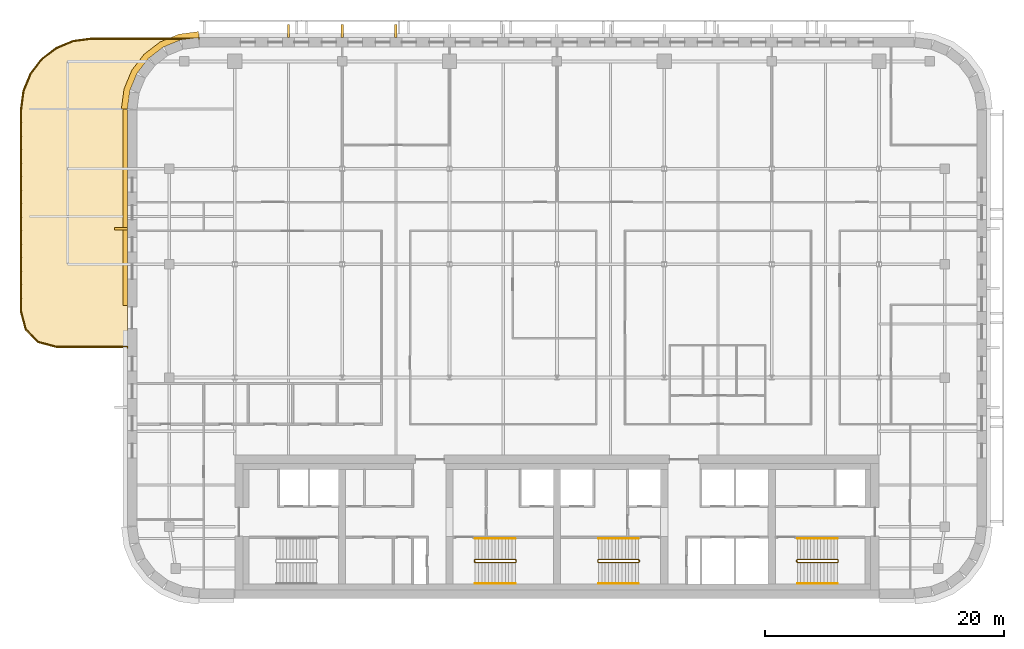
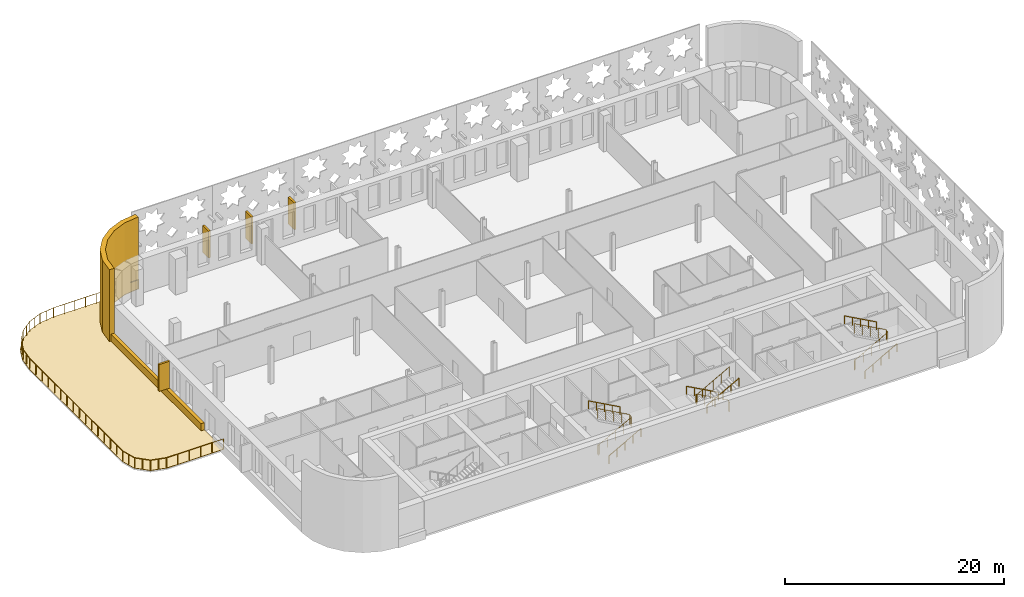
# One storey, part 14 of 17: 10 railings, 7 coverings.
"""IFC4 building model written with IfcOpenShell, lengths in metres."""

from ifc_helpers import new_model, si_unit, direction, frame, origin, origin_2d, place, context, subcontext, project, spatial, polyline, circle, outline, extrude, material, layer, layer_set, type_object, element, save


model = new_model("IFC4")

# Units and contexts
model_context = context("Model", 3, precision=1e-05, world=origin(), true_north=direction((0.0, 1.0)))
body_context = subcontext(model_context, "Body", "Model", "MODEL_VIEW")
ifc_project = project(units=[si_unit("LENGTHUNIT", "METRE"), si_unit("AREAUNIT", "SQUARE_METRE"), si_unit("VOLUMEUNIT", "CUBIC_METRE"), si_unit("PLANEANGLEUNIT", "RADIAN"), si_unit("MASSUNIT", "GRAM", prefix="KILO")], contexts=[model_context])

# Site, building, storey
site_placement = place(None, origin())
site = spatial("IfcSite", under=ifc_project, at=site_placement, CompositionType="ELEMENT")
building_placement = place(site_placement, origin())
building = spatial("IfcBuilding", under=site, at=building_placement, Name="Zellij Exchange Tower", CompositionType="ELEMENT")
storey_placement = place(building_placement, frame((0.0, 0.0, 256.5)))
storey = spatial("IfcBuildingStorey", under=building, at=storey_placement, Name="L60", CompositionType="ELEMENT", Elevation=256.5)

# Railings
ifc_material_1 = material(Name="Stainless steel", Category="steel")
railing_type_1 = type_object("IfcRailingType", Name="CORE-RG stair guard", PredefinedType="GUARDRAIL", material=ifc_material_1)
railing_1_placement = place(storey_placement, frame((-6.89990234375, -10.949951171875, 0.0)))
element("IfcRailing", 1, at=railing_1_placement, inside=storey, type_object=railing_type_1, Name="ST2 stair guard L60", PredefinedType="GUARDRAIL", context=body_context, shape_type="SweptSolid", body=[
    extrude(circle(Radius=0.02392578125, at=origin_2d()), frame((0.0, 0.0, 1.076171875), z_axis=(0.0, 1.0, 0.0), x_axis=(-1.0, 0.0, 0.0)), (0.0, 0.0, 1.0), 0.14990234375),
    extrude(circle(Radius=0.02392578125, at=origin_2d()), frame((0.0, 0.14990234375, 1.076171875), z_axis=(0.193691321961, -0.777613689637, 0.598164376644), x_axis=(0.970351222016, 0.241699205484, 0.0)), (0.0, 0.0, 1.0), 0.257080078125),
    extrude(circle(Radius=0.02392578125, at=origin_2d()), frame((0.0498046875, -0.050048828125, 1.22998046875), z_axis=(0.876421534553, 0.0, 0.481544695509), x_axis=(0.0, 1.0, 0.0)), (0.0, 0.0, 1.0), 3.833984375),
    extrude(circle(Radius=0.02392578125, at=origin_2d()), frame((3.409912109375, -0.050048828125, 3.076171875), z_axis=(0.707106781187, 0.707106781187, 0.0), x_axis=(-0.707106781187, 0.707106781187, 0.0)), (0.0, 0.0, 1.0), 0.07080078125),
    extrude(circle(Radius=0.02392578125, at=origin_2d()), frame((3.4599609375, 0.0, 3.076171875), z_axis=(0.0, 1.0, 0.0), x_axis=(-1.0, 0.0, 0.0)), (0.0, 0.0, 1.0), 0.14990234375),
    extrude(circle(Radius=0.02392578125, at=origin_2d()), frame((3.4599609375, 0.14990234375, 3.076171875), z_axis=(-0.295599637079, 0.295599637079, 0.908428152975), x_axis=(-0.707106781187, -0.707106781187, 0.0)), (0.0, 0.0, 1.0), 0.16943359375),
    extrude(circle(Radius=0.02392578125, at=origin_2d()), frame((3.409912109375, 0.199951171875, 3.22998046875), z_axis=(-0.876421534553, 0.0, 0.481544695509), x_axis=(0.0, -1.0, 0.0)), (0.0, 0.0, 1.0), 3.833984375),
    extrude(circle(Radius=0.02099609375, at=origin_2d()), origin(), (0.0, 0.0, 1.0), 1.052001953125),
    extrude(circle(Radius=0.02099609375, at=origin_2d()), frame((0.0, 0.14990234375, 0.0)), (0.0, 0.0, 1.0), 1.052001953125),
    extrude(circle(Radius=0.02099609375, at=origin_2d()), frame((0.0498046875, -0.050048828125, 0.15380859375)), (0.0, 0.0, 1.0), 1.052001953125),
    extrude(circle(Radius=0.02099609375, at=origin_2d()), frame((0.889892578125, -0.050048828125, 0.615234375)), (0.0, 0.0, 1.0), 1.052001953125),
    extrude(circle(Radius=0.02099609375, at=origin_2d()), frame((1.72998046875, -0.050048828125, 1.076904296875)), (0.0, 0.0, 1.0), 1.052001953125),
    extrude(circle(Radius=0.02099609375, at=origin_2d()), frame((2.56982421875, -0.050048828125, 1.53857421875)), (0.0, 0.0, 1.0), 1.052001953125),
    extrude(circle(Radius=0.02099609375, at=origin_2d()), frame((3.409912109375, -0.050048828125, 2.0)), (0.0, 0.0, 1.0), 1.052001953125),
    extrude(circle(Radius=0.02099609375, at=origin_2d()), frame((3.4599609375, 0.0, 2.0)), (0.0, 0.0, 1.0), 1.052001953125),
    extrude(circle(Radius=0.02099609375, at=origin_2d()), frame((3.4599609375, 0.14990234375, 2.0)), (0.0, 0.0, 1.0), 1.052001953125),
    extrude(circle(Radius=0.02099609375, at=origin_2d()), frame((3.409912109375, 0.199951171875, 2.15380859375)), (0.0, 0.0, 1.0), 1.052001953125),
    extrude(circle(Radius=0.02099609375, at=origin_2d()), frame((2.56982421875, 0.199951171875, 2.615234375)), (0.0, 0.0, 1.0), 1.052001953125),
    extrude(circle(Radius=0.02099609375, at=origin_2d()), frame((1.72998046875, 0.199951171875, 3.076904296875)), (0.0, 0.0, 1.0), 1.052001953125),
    extrude(circle(Radius=0.02099609375, at=origin_2d()), frame((0.889892578125, 0.199951171875, 3.53857421875)), (0.0, 0.0, 1.0), 1.052001953125),
    extrude(circle(Radius=0.02099609375, at=origin_2d()), frame((0.0498046875, 0.199951171875, 4.0)), (0.0, 0.0, 1.0), 1.052001953125),
])
railing_2_placement = place(storey_placement, frame((6.89990234375, -10.800048828125, 0.0)))
element("IfcRailing", 2, at=railing_2_placement, inside=storey, type_object=railing_type_1, Name="ST3 stair guard L60", PredefinedType="GUARDRAIL", context=body_context, shape_type="SweptSolid", body=[
    extrude(circle(Radius=0.02392578125, at=origin_2d()), frame((0.0, 0.0, 1.076171875), z_axis=(0.0, -1.0, 0.0), x_axis=(1.0, 0.0, 0.0)), (0.0, 0.0, 1.0), 0.14990234375),
    extrude(circle(Radius=0.02392578125, at=origin_2d()), frame((0.0, -0.14990234375, 1.076171875), z_axis=(-0.193691321961, 0.777613689637, 0.598164376644), x_axis=(-0.970351222016, -0.241699205484, 0.0)), (0.0, 0.0, 1.0), 0.257080078125),
    extrude(circle(Radius=0.02392578125, at=origin_2d()), frame((-0.0498046875, 0.050048828125, 1.22998046875), z_axis=(-0.876421534553, 0.0, 0.481544695509), x_axis=(0.0, -1.0, 0.0)), (0.0, 0.0, 1.0), 3.833984375),
    extrude(circle(Radius=0.02392578125, at=origin_2d()), frame((-3.409912109375, 0.050048828125, 3.076171875), z_axis=(-0.707106781187, -0.707106781187, 0.0), x_axis=(0.707106781187, -0.707106781187, 0.0)), (0.0, 0.0, 1.0), 0.07080078125),
    extrude(circle(Radius=0.02392578125, at=origin_2d()), frame((-3.4599609375, 0.0, 3.076171875), z_axis=(0.0, -1.0, 0.0), x_axis=(1.0, 0.0, 0.0)), (0.0, 0.0, 1.0), 0.14990234375),
    extrude(circle(Radius=0.02392578125, at=origin_2d()), frame((-3.4599609375, -0.14990234375, 3.076171875), z_axis=(0.295599637079, -0.295599637079, 0.908428152975), x_axis=(0.707106781187, 0.707106781187, 0.0)), (0.0, 0.0, 1.0), 0.16943359375),
    extrude(circle(Radius=0.02392578125, at=origin_2d()), frame((-3.409912109375, -0.199951171875, 3.22998046875), z_axis=(0.876421534553, 0.0, 0.481544695509), x_axis=(0.0, 1.0, 0.0)), (0.0, 0.0, 1.0), 3.833984375),
    extrude(circle(Radius=0.02099609375, at=origin_2d()), origin(), (0.0, 0.0, 1.0), 1.052001953125),
    extrude(circle(Radius=0.02099609375, at=origin_2d()), frame((0.0, -0.14990234375, 0.0)), (0.0, 0.0, 1.0), 1.052001953125),
    extrude(circle(Radius=0.02099609375, at=origin_2d()), frame((-0.0498046875, 0.050048828125, 0.15380859375)), (0.0, 0.0, 1.0), 1.052001953125),
    extrude(circle(Radius=0.02099609375, at=origin_2d()), frame((-0.889892578125, 0.050048828125, 0.615234375)), (0.0, 0.0, 1.0), 1.052001953125),
    extrude(circle(Radius=0.02099609375, at=origin_2d()), frame((-1.72998046875, 0.050048828125, 1.076904296875)), (0.0, 0.0, 1.0), 1.052001953125),
    extrude(circle(Radius=0.02099609375, at=origin_2d()), frame((-2.56982421875, 0.050048828125, 1.53857421875)), (0.0, 0.0, 1.0), 1.052001953125),
    extrude(circle(Radius=0.02099609375, at=origin_2d()), frame((-3.409912109375, 0.050048828125, 2.0)), (0.0, 0.0, 1.0), 1.052001953125),
    extrude(circle(Radius=0.02099609375, at=origin_2d()), frame((-3.4599609375, 0.0, 2.0)), (0.0, 0.0, 1.0), 1.052001953125),
    extrude(circle(Radius=0.02099609375, at=origin_2d()), frame((-3.4599609375, -0.14990234375, 2.0)), (0.0, 0.0, 1.0), 1.052001953125),
    extrude(circle(Radius=0.02099609375, at=origin_2d()), frame((-3.409912109375, -0.199951171875, 2.15380859375)), (0.0, 0.0, 1.0), 1.052001953125),
    extrude(circle(Radius=0.02099609375, at=origin_2d()), frame((-2.56982421875, -0.199951171875, 2.615234375)), (0.0, 0.0, 1.0), 1.052001953125),
    extrude(circle(Radius=0.02099609375, at=origin_2d()), frame((-1.72998046875, -0.199951171875, 3.076904296875)), (0.0, 0.0, 1.0), 1.052001953125),
    extrude(circle(Radius=0.02099609375, at=origin_2d()), frame((-0.889892578125, -0.199951171875, 3.53857421875)), (0.0, 0.0, 1.0), 1.052001953125),
    extrude(circle(Radius=0.02099609375, at=origin_2d()), frame((-0.0498046875, -0.199951171875, 4.0)), (0.0, 0.0, 1.0), 1.052001953125),
])
railing_3_placement = place(storey_placement, frame((20.10009765625, -10.949951171875, 0.0)))
element("IfcRailing", 3, at=railing_3_placement, inside=storey, type_object=railing_type_1, Name="ST4 stair guard L60", PredefinedType="GUARDRAIL", context=body_context, shape_type="SweptSolid", body=[
    extrude(circle(Radius=0.02392578125, at=origin_2d()), frame((0.0, 0.0, 1.076171875), z_axis=(0.0, 1.0, 0.0), x_axis=(-1.0, 0.0, 0.0)), (0.0, 0.0, 1.0), 0.14990234375),
    extrude(circle(Radius=0.02392578125, at=origin_2d()), frame((0.0, 0.14990234375, 1.076171875), z_axis=(0.193691321961, -0.777613689637, 0.598164376644), x_axis=(0.970351222016, 0.241699205484, 0.0)), (0.0, 0.0, 1.0), 0.257080078125),
    extrude(circle(Radius=0.02392578125, at=origin_2d()), frame((0.0498046875, -0.050048828125, 1.22998046875), z_axis=(0.876421534553, 0.0, 0.481544695509), x_axis=(0.0, 1.0, 0.0)), (0.0, 0.0, 1.0), 3.833984375),
    extrude(circle(Radius=0.02392578125, at=origin_2d()), frame((3.409912109375, -0.050048828125, 3.076171875), z_axis=(0.707106781187, 0.707106781187, 0.0), x_axis=(-0.707106781187, 0.707106781187, 0.0)), (0.0, 0.0, 1.0), 0.07080078125),
    extrude(circle(Radius=0.02392578125, at=origin_2d()), frame((3.4599609375, 0.0, 3.076171875), z_axis=(0.0, 1.0, 0.0), x_axis=(-1.0, 0.0, 0.0)), (0.0, 0.0, 1.0), 0.14990234375),
    extrude(circle(Radius=0.02392578125, at=origin_2d()), frame((3.4599609375, 0.14990234375, 3.076171875), z_axis=(-0.295599637079, 0.295599637079, 0.908428152975), x_axis=(-0.707106781187, -0.707106781187, 0.0)), (0.0, 0.0, 1.0), 0.16943359375),
    extrude(circle(Radius=0.02392578125, at=origin_2d()), frame((3.409912109375, 0.199951171875, 3.22998046875), z_axis=(-0.876421534553, 0.0, 0.481544695509), x_axis=(0.0, -1.0, 0.0)), (0.0, 0.0, 1.0), 3.833984375),
    extrude(circle(Radius=0.02099609375, at=origin_2d()), origin(), (0.0, 0.0, 1.0), 1.052001953125),
    extrude(circle(Radius=0.02099609375, at=origin_2d()), frame((0.0, 0.14990234375, 0.0)), (0.0, 0.0, 1.0), 1.052001953125),
    extrude(circle(Radius=0.02099609375, at=origin_2d()), frame((0.0498046875, -0.050048828125, 0.15380859375)), (0.0, 0.0, 1.0), 1.052001953125),
    extrude(circle(Radius=0.02099609375, at=origin_2d()), frame((0.889892578125, -0.050048828125, 0.615234375)), (0.0, 0.0, 1.0), 1.052001953125),
    extrude(circle(Radius=0.02099609375, at=origin_2d()), frame((1.72998046875, -0.050048828125, 1.076904296875)), (0.0, 0.0, 1.0), 1.052001953125),
    extrude(circle(Radius=0.02099609375, at=origin_2d()), frame((2.56982421875, -0.050048828125, 1.53857421875)), (0.0, 0.0, 1.0), 1.052001953125),
    extrude(circle(Radius=0.02099609375, at=origin_2d()), frame((3.409912109375, -0.050048828125, 2.0)), (0.0, 0.0, 1.0), 1.052001953125),
    extrude(circle(Radius=0.02099609375, at=origin_2d()), frame((3.4599609375, 0.0, 2.0)), (0.0, 0.0, 1.0), 1.052001953125),
    extrude(circle(Radius=0.02099609375, at=origin_2d()), frame((3.4599609375, 0.14990234375, 2.0)), (0.0, 0.0, 1.0), 1.052001953125),
    extrude(circle(Radius=0.02099609375, at=origin_2d()), frame((3.409912109375, 0.199951171875, 2.15380859375)), (0.0, 0.0, 1.0), 1.052001953125),
    extrude(circle(Radius=0.02099609375, at=origin_2d()), frame((2.56982421875, 0.199951171875, 2.615234375)), (0.0, 0.0, 1.0), 1.052001953125),
    extrude(circle(Radius=0.02099609375, at=origin_2d()), frame((1.72998046875, 0.199951171875, 3.076904296875)), (0.0, 0.0, 1.0), 1.052001953125),
    extrude(circle(Radius=0.02099609375, at=origin_2d()), frame((0.889892578125, 0.199951171875, 3.53857421875)), (0.0, 0.0, 1.0), 1.052001953125),
    extrude(circle(Radius=0.02099609375, at=origin_2d()), frame((0.0498046875, 0.199951171875, 4.0)), (0.0, 0.0, 1.0), 1.052001953125),
])
railing_type_2 = type_object("IfcRailingType", Name="CORE-RH stair handrail", PredefinedType="HANDRAIL", material=ifc_material_1)
railing_4_placement = place(storey_placement, frame((-6.85009765625, -12.75, 0.15380859375)))
element("IfcRailing", 4, at=railing_4_placement, inside=storey, type_object=railing_type_2, Name="ST2 stair handrail L60", PredefinedType="HANDRAIL", context=body_context, shape_type="SweptSolid", body=[
    extrude(circle(Radius=0.02392578125, at=origin_2d()), frame((0.0, 0.0, 0.8759765625), z_axis=(0.876421534553, 0.0, 0.481544695509), x_axis=(0.0, 1.0, 0.0)), (0.0, 0.0, 1.0), 3.833984375),
    extrude(circle(Radius=0.02099609375, at=origin_2d()), origin(), (0.0, 0.0, 1.0), 0.851806640625),
    extrude(circle(Radius=0.02099609375, at=origin_2d()), frame((0.840087890625, 0.0, 0.46142578125)), (0.0, 0.0, 1.0), 0.851806640625),
    extrude(circle(Radius=0.02099609375, at=origin_2d()), frame((1.68017578125, 0.0, 0.923095703125)), (0.0, 0.0, 1.0), 0.851806640625),
    extrude(circle(Radius=0.02099609375, at=origin_2d()), frame((2.52001953125, 0.0, 1.384765625)), (0.0, 0.0, 1.0), 0.851806640625),
    extrude(circle(Radius=0.02099609375, at=origin_2d()), frame((3.360107421875, 0.0, 1.84619140625)), (0.0, 0.0, 1.0), 0.851806640625),
])
for number, where, name in (
    (5, (-3.489990234375, -9.0, 2.15380859375), "ST2 stair handrail L60"),
    (6, (6.85009765625, -9.0, 0.15380859375), "ST3 stair handrail L60"),
):
    element("IfcRailing", number, at=place(storey_placement, frame(where)), inside=storey, type_object=railing_type_2, Name=name, PredefinedType="HANDRAIL", context=body_context, shape_type="SweptSolid", body=[
        extrude(circle(Radius=0.02392578125, at=origin_2d()), frame((0.0, 0.0, 0.8759765625), z_axis=(-0.876421534553, 0.0, 0.481544695509), x_axis=(0.0, -1.0, 0.0)), (0.0, 0.0, 1.0), 3.833984375),
        extrude(circle(Radius=0.02099609375, at=origin_2d()), origin(), (0.0, 0.0, 1.0), 0.851806640625),
        extrude(circle(Radius=0.02099609375, at=origin_2d()), frame((-0.840087890625, 0.0, 0.46142578125)), (0.0, 0.0, 1.0), 0.851806640625),
        extrude(circle(Radius=0.02099609375, at=origin_2d()), frame((-1.68017578125, 0.0, 0.923095703125)), (0.0, 0.0, 1.0), 0.851806640625),
        extrude(circle(Radius=0.02099609375, at=origin_2d()), frame((-2.52001953125, 0.0, 1.384765625)), (0.0, 0.0, 1.0), 0.851806640625),
        extrude(circle(Radius=0.02099609375, at=origin_2d()), frame((-3.360107421875, 0.0, 1.84619140625)), (0.0, 0.0, 1.0), 0.851806640625),
    ])
for number, where, name in (
    (7, (3.489990234375, -12.75, 2.15380859375), "ST3 stair handrail L60"),
    (8, (20.14990234375, -12.75, 0.15380859375), "ST4 stair handrail L60"),
):
    element("IfcRailing", number, at=place(storey_placement, frame(where)), inside=storey, type_object=railing_type_2, Name=name, PredefinedType="HANDRAIL", context=body_context, shape_type="SweptSolid", body=[
        extrude(circle(Radius=0.02392578125, at=origin_2d()), frame((0.0, 0.0, 0.8759765625), z_axis=(0.876421534553, 0.0, 0.481544695509), x_axis=(0.0, 1.0, 0.0)), (0.0, 0.0, 1.0), 3.833984375),
        extrude(circle(Radius=0.02099609375, at=origin_2d()), origin(), (0.0, 0.0, 1.0), 0.851806640625),
        extrude(circle(Radius=0.02099609375, at=origin_2d()), frame((0.840087890625, 0.0, 0.46142578125)), (0.0, 0.0, 1.0), 0.851806640625),
        extrude(circle(Radius=0.02099609375, at=origin_2d()), frame((1.68017578125, 0.0, 0.923095703125)), (0.0, 0.0, 1.0), 0.851806640625),
        extrude(circle(Radius=0.02099609375, at=origin_2d()), frame((2.52001953125, 0.0, 1.384765625)), (0.0, 0.0, 1.0), 0.851806640625),
        extrude(circle(Radius=0.02099609375, at=origin_2d()), frame((3.360107421875, 0.0, 1.84619140625)), (0.0, 0.0, 1.0), 0.851806640625),
    ])
railing_5_placement = place(storey_placement, frame((23.510009765625, -9.0, 2.15380859375)))
element("IfcRailing", 9, at=railing_5_placement, inside=storey, type_object=railing_type_2, Name="ST4 stair handrail L60", PredefinedType="HANDRAIL", context=body_context, shape_type="SweptSolid", body=[
    extrude(circle(Radius=0.02392578125, at=origin_2d()), frame((0.0, 0.0, 0.8759765625), z_axis=(-0.876421534553, 0.0, 0.481544695509), x_axis=(0.0, -1.0, 0.0)), (0.0, 0.0, 1.0), 3.833984375),
    extrude(circle(Radius=0.02099609375, at=origin_2d()), origin(), (0.0, 0.0, 1.0), 0.851806640625),
    extrude(circle(Radius=0.02099609375, at=origin_2d()), frame((-0.840087890625, 0.0, 0.46142578125)), (0.0, 0.0, 1.0), 0.851806640625),
    extrude(circle(Radius=0.02099609375, at=origin_2d()), frame((-1.68017578125, 0.0, 0.923095703125)), (0.0, 0.0, 1.0), 0.851806640625),
    extrude(circle(Radius=0.02099609375, at=origin_2d()), frame((-2.52001953125, 0.0, 1.384765625)), (0.0, 0.0, 1.0), 0.851806640625),
    extrude(circle(Radius=0.02099609375, at=origin_2d()), frame((-3.360107421875, 0.0, 1.84619140625)), (0.0, 0.0, 1.0), 0.851806640625),
])

# Coverings
ifc_material_2 = material(Name="Limestone cladding", Category="masonry")
ifc_layer_1 = layer(ifc_material_2, 0.35009765625)
ifc_layer_set_1 = layer_set([ifc_layer_1], Name="Limestone cladding")
covering_type_1 = type_object("IfcCoveringType", Name="ENV-CV10 Stone spandrel band 350", PredefinedType="CLADDING", material=ifc_layer_set_1)
covering_1_placement = place(storey_placement, origin())
element("IfcCovering", 10, at=covering_1_placement, inside=storey, type_object=covering_type_1, Name="Stone spandrel band", PredefinedType="CLADDING", context=body_context, shape_type="SweptSolid", body=[
    extrude(outline(polyline([(-36.0, 26.973876953125), (-36.0, 10.550048828125), (-36.35009765625, 10.550048828125), (-36.35009765625, 26.99658203125), (-36.0, 26.973876953125)])), origin(), (0.0, 0.0, 1.0), 0.800048828125),
])
ifc_layer_2 = layer(ifc_material_2, 0.5)
ifc_layer_set_2 = layer_set([ifc_layer_2], Name="Limestone cladding")
covering_type_2 = type_object("IfcCoveringType", Name="ENV-CV12 Stone corner pier 500", PredefinedType="CLADDING", material=ifc_layer_set_2)
covering_2_placement = place(storey_placement, origin())
element("IfcCovering", 11, at=covering_2_placement, inside=storey, type_object=covering_type_2, Name="Stone corner pier", PredefinedType="CLADDING", context=body_context, shape_type="SweptSolid", body=[
    extrude(outline(polyline([(-30.0, 33.0), (-31.552978515625, 32.795654296875), (-33.0, 32.1962890625), (-34.24267578125, 31.24267578125), (-35.1962890625, 30.0), (-35.795654296875, 28.552978515625), (-36.0, 27.0), (-36.5, 27.03271484375), (-36.28271484375, 28.683349609375), (-35.6328125, 30.252197265625), (-34.59912109375, 31.59912109375), (-33.252197265625, 32.6328125), (-31.683349609375, 33.28271484375), (-30.03271484375, 33.5), (-30.0, 33.0)])), origin(), (0.0, 0.0, 1.0), 8.0),
])
covering_type_3 = type_object("IfcCoveringType", Name="ENV-CV6 Stone pier 200x1100", PredefinedType="CLADDING", material=ifc_material_2)
covering_3_placement = place(storey_placement, frame((0.0, 0.0, 0.800048828125)))
element("IfcCovering", 12, at=covering_3_placement, inside=storey, type_object=covering_type_3, Name="Stone pier", PredefinedType="CLADDING", context=body_context, shape_type="SweptSolid", body=[
    extrude(outline(polyline([(-13.39990234375, 33.0), (-13.60009765625, 33.0), (-13.60009765625, 34.10009765625), (-13.39990234375, 34.10009765625), (-13.39990234375, 33.0)])), origin(), (0.0, 0.0, 1.0), 3.0),
])
covering_4_placement = place(storey_placement, frame((0.0, 0.0, 0.800048828125)))
element("IfcCovering", 13, at=covering_4_placement, inside=storey, type_object=covering_type_3, Name="Stone pier", PredefinedType="CLADDING", context=body_context, shape_type="SweptSolid", body=[
    extrude(outline(polyline([(-17.89990234375, 33.0), (-18.10009765625, 33.0), (-18.10009765625, 34.10009765625), (-17.89990234375, 34.10009765625), (-17.89990234375, 33.0)])), origin(), (0.0, 0.0, 1.0), 3.0),
])
covering_5_placement = place(storey_placement, frame((0.0, 0.0, 0.800048828125)))
element("IfcCovering", 14, at=covering_5_placement, inside=storey, type_object=covering_type_3, Name="Stone pier", PredefinedType="CLADDING", context=body_context, shape_type="SweptSolid", body=[
    extrude(outline(polyline([(-22.39990234375, 33.0), (-22.60009765625, 33.0), (-22.60009765625, 34.10009765625), (-22.39990234375, 34.10009765625), (-22.39990234375, 33.0)])), origin(), (0.0, 0.0, 1.0), 3.0),
])
covering_6_placement = place(storey_placement, frame((0.0, 0.0, 0.800048828125)))
element("IfcCovering", 15, at=covering_6_placement, inside=storey, type_object=covering_type_3, Name="Stone pier", PredefinedType="CLADDING", context=body_context, shape_type="SweptSolid", body=[
    extrude(outline(polyline([(-36.0, 17.0888671875), (-36.0, 16.888916015625), (-37.10009765625, 16.888916015625), (-37.10009765625, 17.0888671875), (-36.0, 17.0888671875)])), origin(), (0.0, 0.0, 1.0), 3.0),
])

# Railing
ifc_material_3 = material(Name="Bronze-finished aluminium", Category="aluminium")
railing_type_3 = type_object("IfcRailingType", Name="ENV-GR1 Terrace guard", PredefinedType="GUARDRAIL", material=ifc_material_3)
railing_6_placement = place(storey_placement, frame((-30.000732421875, 33.0, 0.0)))
element("IfcRailing", 16, at=railing_6_placement, inside=storey, type_object=railing_type_3, Name="Terrace guard", PredefinedType="GUARDRAIL", context=body_context, shape_type="SweptSolid", body=[
    extrude(circle(Radius=0.02490234375, at=origin_2d()), frame((0.0, 0.0, 1.0751953125), z_axis=(0.0, -1.0, 0.0), x_axis=(1.0, 0.0, 0.0)), (0.0, 0.0, 1.0), 0.10009765625),
    extrude(circle(Radius=0.02490234375, at=origin_2d()), frame((0.0, -0.10009765625, 1.0751953125), z_axis=(-1.0, 0.0, 0.0), x_axis=(0.0, -1.0, 0.0)), (0.0, 0.0, 1.0), 8.99267578125),
    extrude(circle(Radius=0.02490234375, at=origin_2d()), frame((-8.99267578125, -0.10009765625, 1.0751953125), z_axis=(-0.991463426777, -0.130385096405, 0.0), x_axis=(0.130385096405, -0.991463426777, 0.0)), (0.0, 0.0, 1.0), 1.546630859375),
    extrude(circle(Radius=0.02490234375, at=origin_2d()), frame((-10.526123046875, -0.3017578125, 1.0751953125), z_axis=(-0.923881586142, -0.382678474425, 0.0), x_axis=(0.382678474425, -0.923881586142, 0.0)), (0.0, 0.0, 1.0), 1.5400390625),
    extrude(circle(Radius=0.02490234375, at=origin_2d()), frame((-11.948974609375, -0.89111328125, 1.0751953125), z_axis=(-0.793330694412, -0.608790940556, 0.0), x_axis=(0.608790940556, -0.793330694412, 0.0)), (0.0, 0.0, 1.0), 1.5400390625),
    extrude(circle(Radius=0.02490234375, at=origin_2d()), frame((-13.170654296875, -1.82861328125, 1.0751953125), z_axis=(-0.608790940556, -0.793330694412, 0.0), x_axis=(0.793330694412, -0.608790940556, 0.0)), (0.0, 0.0, 1.0), 1.5400390625),
    extrude(circle(Radius=0.02490234375, at=origin_2d()), frame((-14.108154296875, -3.05029296875, 1.0751953125), z_axis=(-0.382678474425, -0.923881586142, 0.0), x_axis=(0.923881586142, -0.382678474425, 0.0)), (0.0, 0.0, 1.0), 1.5400390625),
    extrude(circle(Radius=0.02490234375, at=origin_2d()), frame((-14.697509765625, -4.47314453125, 1.0751953125), z_axis=(-0.130385096405, -0.991463426777, 0.0), x_axis=(0.991463426777, -0.130385096405, 0.0)), (0.0, 0.0, 1.0), 1.546630859375),
    extrude(circle(Radius=0.02490234375, at=origin_2d()), frame((-14.899169921875, -6.006591796875, 1.0751953125), z_axis=(0.0, -1.0, 0.0), x_axis=(1.0, 0.0, 0.0)), (0.0, 0.0, 1.0), 16.980224609375),
    extrude(circle(Radius=0.02490234375, at=origin_2d()), frame((-14.899169921875, -22.98681640625, 1.0751953125), z_axis=(0.258827496332, -0.965923561749, 0.0), x_axis=(0.965923561749, 0.258827496332, 0.0)), (0.0, 0.0, 1.0), 1.512939453125),
    extrude(circle(Radius=0.02490234375, at=origin_2d()), frame((-14.507568359375, -24.4482421875, 1.0751953125), z_axis=(0.707106781187, -0.707106781187, 0.0), x_axis=(0.707106781187, 0.707106781187, 0.0)), (0.0, 0.0, 1.0), 1.499267578125),
    extrude(circle(Radius=0.02490234375, at=origin_2d()), frame((-13.447509765625, -25.50830078125, 1.0751953125), z_axis=(0.965923561749, -0.258827496332, 0.0), x_axis=(0.258827496332, 0.965923561749, 0.0)), (0.0, 0.0, 1.0), 1.512939453125),
    extrude(circle(Radius=0.02490234375, at=origin_2d()), frame((-11.986083984375, -25.89990234375, 1.0751953125), z_axis=(1.0, 0.0, 0.0), x_axis=(0.0, 1.0, 0.0)), (0.0, 0.0, 1.0), 5.98681640625),
    extrude(circle(Radius=0.02490234375, at=origin_2d()), frame((-5.999267578125, -25.89990234375, 1.0751953125), z_axis=(0.0, -1.0, 0.0), x_axis=(1.0, 0.0, 0.0)), (0.0, 0.0, 1.0), 0.10009765625),
    extrude(circle(Radius=0.030029296875, at=origin_2d()), origin(), (0.0, 0.0, 1.0), 1.050048828125),
    extrude(circle(Radius=0.030029296875, at=origin_2d()), frame((0.0, -0.10009765625, 0.0)), (0.0, 0.0, 1.0), 1.050048828125),
    extrude(circle(Radius=0.030029296875, at=origin_2d()), frame((-1.1240234375, -0.10009765625, 0.0)), (0.0, 0.0, 1.0), 1.050048828125),
    extrude(circle(Radius=0.030029296875, at=origin_2d()), frame((-2.248046875, -0.10009765625, 0.0)), (0.0, 0.0, 1.0), 1.050048828125),
    extrude(circle(Radius=0.030029296875, at=origin_2d()), frame((-3.372314453125, -0.10009765625, 0.0)), (0.0, 0.0, 1.0), 1.050048828125),
    extrude(circle(Radius=0.030029296875, at=origin_2d()), frame((-4.496337890625, -0.10009765625, 0.0)), (0.0, 0.0, 1.0), 1.050048828125),
    extrude(circle(Radius=0.030029296875, at=origin_2d()), frame((-5.620361328125, -0.10009765625, 0.0)), (0.0, 0.0, 1.0), 1.050048828125),
    extrude(circle(Radius=0.030029296875, at=origin_2d()), frame((-6.74462890625, -0.10009765625, 0.0)), (0.0, 0.0, 1.0), 1.050048828125),
    extrude(circle(Radius=0.030029296875, at=origin_2d()), frame((-7.86865234375, -0.10009765625, 0.0)), (0.0, 0.0, 1.0), 1.050048828125),
    extrude(circle(Radius=0.030029296875, at=origin_2d()), frame((-8.99267578125, -0.10009765625, 0.0)), (0.0, 0.0, 1.0), 1.050048828125),
    extrude(circle(Radius=0.030029296875, at=origin_2d()), frame((-9.75927734375, -0.200927734375, 0.0)), (0.0, 0.0, 1.0), 1.050048828125),
    extrude(circle(Radius=0.030029296875, at=origin_2d()), frame((-10.526123046875, -0.3017578125, 0.0)), (0.0, 0.0, 1.0), 1.050048828125),
    extrude(circle(Radius=0.030029296875, at=origin_2d()), frame((-11.237548828125, -0.596435546875, 0.0)), (0.0, 0.0, 1.0), 1.050048828125),
    extrude(circle(Radius=0.030029296875, at=origin_2d()), frame((-11.948974609375, -0.89111328125, 0.0)), (0.0, 0.0, 1.0), 1.050048828125),
    extrude(circle(Radius=0.030029296875, at=origin_2d()), frame((-12.559814453125, -1.35986328125, 0.0)), (0.0, 0.0, 1.0), 1.050048828125),
    extrude(circle(Radius=0.030029296875, at=origin_2d()), frame((-13.170654296875, -1.82861328125, 0.0)), (0.0, 0.0, 1.0), 1.050048828125),
    extrude(circle(Radius=0.030029296875, at=origin_2d()), frame((-13.639404296875, -2.439453125, 0.0)), (0.0, 0.0, 1.0), 1.050048828125),
    extrude(circle(Radius=0.030029296875, at=origin_2d()), frame((-14.108154296875, -3.05029296875, 0.0)), (0.0, 0.0, 1.0), 1.050048828125),
    extrude(circle(Radius=0.030029296875, at=origin_2d()), frame((-14.40283203125, -3.76171875, 0.0)), (0.0, 0.0, 1.0), 1.050048828125),
    extrude(circle(Radius=0.030029296875, at=origin_2d()), frame((-14.697509765625, -4.47314453125, 0.0)), (0.0, 0.0, 1.0), 1.050048828125),
    extrude(circle(Radius=0.030029296875, at=origin_2d()), frame((-14.79833984375, -5.23974609375, 0.0)), (0.0, 0.0, 1.0), 1.050048828125),
    extrude(circle(Radius=0.030029296875, at=origin_2d()), frame((-14.899169921875, -6.006591796875, 0.0)), (0.0, 0.0, 1.0), 1.050048828125),
    extrude(circle(Radius=0.030029296875, at=origin_2d()), frame((-14.899169921875, -7.138671875, 0.0)), (0.0, 0.0, 1.0), 1.050048828125),
    extrude(circle(Radius=0.030029296875, at=origin_2d()), frame((-14.899169921875, -8.2705078125, 0.0)), (0.0, 0.0, 1.0), 1.050048828125),
    extrude(circle(Radius=0.030029296875, at=origin_2d()), frame((-14.899169921875, -9.402587890625, 0.0)), (0.0, 0.0, 1.0), 1.050048828125),
    extrude(circle(Radius=0.030029296875, at=origin_2d()), frame((-14.899169921875, -10.53466796875, 0.0)), (0.0, 0.0, 1.0), 1.050048828125),
    extrude(circle(Radius=0.030029296875, at=origin_2d()), frame((-14.899169921875, -11.666748046875, 0.0)), (0.0, 0.0, 1.0), 1.050048828125),
    extrude(circle(Radius=0.030029296875, at=origin_2d()), frame((-14.899169921875, -12.798583984375, 0.0)), (0.0, 0.0, 1.0), 1.050048828125),
    extrude(circle(Radius=0.030029296875, at=origin_2d()), frame((-14.899169921875, -13.9306640625, 0.0)), (0.0, 0.0, 1.0), 1.050048828125),
    extrude(circle(Radius=0.030029296875, at=origin_2d()), frame((-14.899169921875, -15.062744140625, 0.0)), (0.0, 0.0, 1.0), 1.050048828125),
    extrude(circle(Radius=0.030029296875, at=origin_2d()), frame((-14.899169921875, -16.19482421875, 0.0)), (0.0, 0.0, 1.0), 1.050048828125),
    extrude(circle(Radius=0.030029296875, at=origin_2d()), frame((-14.899169921875, -17.32666015625, 0.0)), (0.0, 0.0, 1.0), 1.050048828125),
    extrude(circle(Radius=0.030029296875, at=origin_2d()), frame((-14.899169921875, -18.458740234375, 0.0)), (0.0, 0.0, 1.0), 1.050048828125),
    extrude(circle(Radius=0.030029296875, at=origin_2d()), frame((-14.899169921875, -19.5908203125, 0.0)), (0.0, 0.0, 1.0), 1.050048828125),
    extrude(circle(Radius=0.030029296875, at=origin_2d()), frame((-14.899169921875, -20.722900390625, 0.0)), (0.0, 0.0, 1.0), 1.050048828125),
    extrude(circle(Radius=0.030029296875, at=origin_2d()), frame((-14.899169921875, -21.854736328125, 0.0)), (0.0, 0.0, 1.0), 1.050048828125),
    extrude(circle(Radius=0.030029296875, at=origin_2d()), frame((-14.899169921875, -22.98681640625, 0.0)), (0.0, 0.0, 1.0), 1.050048828125),
    extrude(circle(Radius=0.030029296875, at=origin_2d()), frame((-14.703369140625, -23.717529296875, 0.0)), (0.0, 0.0, 1.0), 1.050048828125),
    extrude(circle(Radius=0.030029296875, at=origin_2d()), frame((-14.507568359375, -24.4482421875, 0.0)), (0.0, 0.0, 1.0), 1.050048828125),
    extrude(circle(Radius=0.030029296875, at=origin_2d()), frame((-13.9775390625, -24.978271484375, 0.0)), (0.0, 0.0, 1.0), 1.050048828125),
    extrude(circle(Radius=0.030029296875, at=origin_2d()), frame((-13.447509765625, -25.50830078125, 0.0)), (0.0, 0.0, 1.0), 1.050048828125),
    extrude(circle(Radius=0.030029296875, at=origin_2d()), frame((-12.716796875, -25.7041015625, 0.0)), (0.0, 0.0, 1.0), 1.050048828125),
    extrude(circle(Radius=0.030029296875, at=origin_2d()), frame((-11.986083984375, -25.89990234375, 0.0)), (0.0, 0.0, 1.0), 1.050048828125),
    extrude(circle(Radius=0.030029296875, at=origin_2d()), frame((-10.788818359375, -25.89990234375, 0.0)), (0.0, 0.0, 1.0), 1.050048828125),
    extrude(circle(Radius=0.030029296875, at=origin_2d()), frame((-9.59130859375, -25.89990234375, 0.0)), (0.0, 0.0, 1.0), 1.050048828125),
    extrude(circle(Radius=0.030029296875, at=origin_2d()), frame((-8.39404296875, -25.89990234375, 0.0)), (0.0, 0.0, 1.0), 1.050048828125),
    extrude(circle(Radius=0.030029296875, at=origin_2d()), frame((-7.196533203125, -25.89990234375, 0.0)), (0.0, 0.0, 1.0), 1.050048828125),
    extrude(circle(Radius=0.030029296875, at=origin_2d()), frame((-5.999267578125, -25.89990234375, 0.0)), (0.0, 0.0, 1.0), 1.050048828125),
    extrude(circle(Radius=0.030029296875, at=origin_2d()), frame((-5.999267578125, -26.0, 0.0)), (0.0, 0.0, 1.0), 1.050048828125),
])

# Covering
ifc_material_4 = material(Name="Limestone paving", Category="masonry")
ifc_layer_3 = layer(ifc_material_4, 0.0400390625)
ifc_layer_set_3 = layer_set([ifc_layer_3], Name="Limestone paving")
covering_type_4 = type_object("IfcCoveringType", Name="ENV-PV2 Terrace paving 40", PredefinedType="FLOORING", material=ifc_layer_set_3)
covering_7_placement = place(storey_placement, frame((0.0, 0.0, -0.0400390625)))
element("IfcCovering", 17, at=covering_7_placement, inside=storey, type_object=covering_type_4, Name="Terrace paving", PredefinedType="FLOORING", context=body_context, shape_type="SweptSolid", body=[
    extrude(outline(polyline([(-44.59814453125, 8.5), (-43.5, 7.40185546875), (-42.0, 7.0), (-36.0, 7.0), (-36.0, 27.0), (-35.795654296875, 28.552978515625), (-35.1962890625, 30.0), (-34.24267578125, 31.24267578125), (-33.0, 32.1962890625), (-31.552978515625, 32.795654296875), (-30.0, 33.0), (-39.0, 33.0), (-40.552978515625, 32.795654296875), (-42.0, 32.1962890625), (-43.24267578125, 31.24267578125), (-44.1962890625, 30.0), (-44.795654296875, 28.552978515625), (-45.0, 27.0), (-45.0, 10.0), (-44.59814453125, 8.5)])), origin(), (0.0, 0.0, 1.0), 0.0400390625),
])

save(model, "model.ifc")
